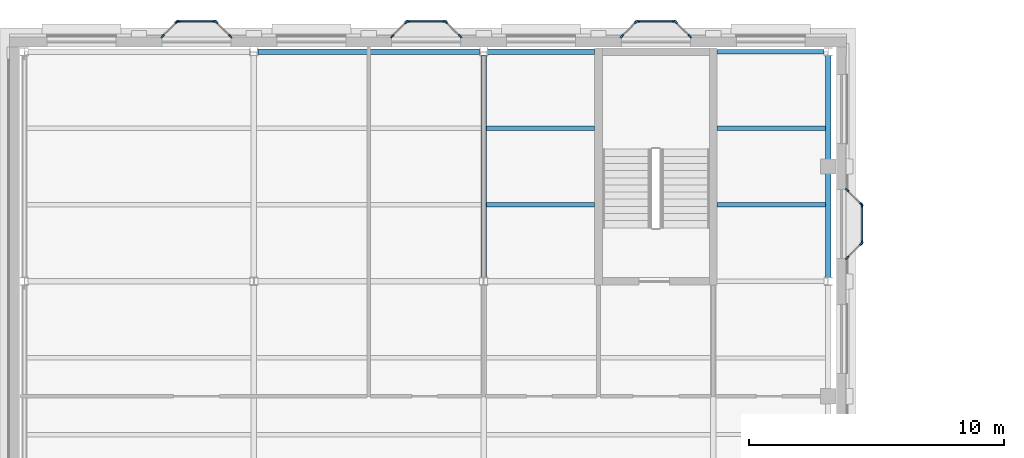
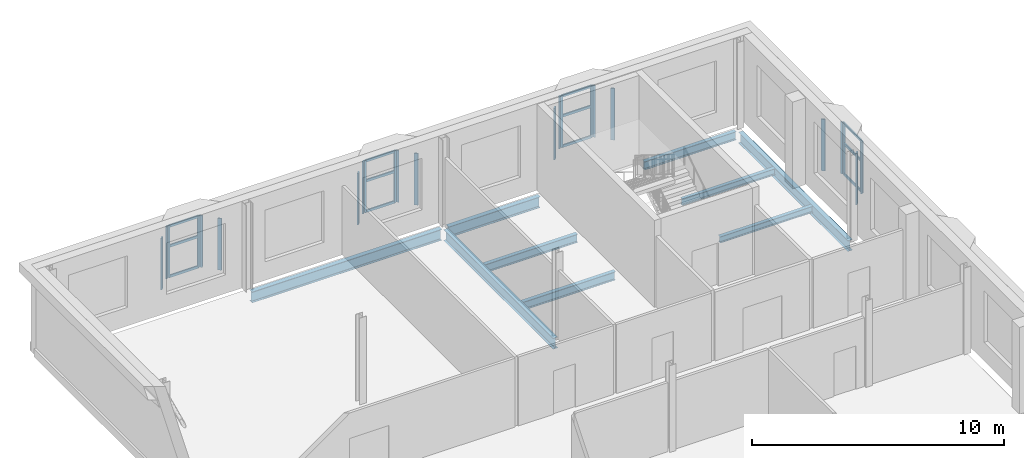
# One storey, part 22 of 62: 36 members, 9 beams, 12 elements without a shape of their own.
"""IFC4 building model written with IfcOpenShell, lengths in metres."""

from ifc_helpers import new_model, si_unit, direction, frame, origin, origin_2d, place, context, subcontext, project, spatial, rectangle, i_section, extrude, material, layer, layer_set, material_profile, profile_set, type_object, element, aggregate, save


model = new_model("IFC4")

# Units and contexts
model_context = context("Model", 3, precision=1e-05, world=origin(), true_north=direction((0.0, 1.0)))
body_context = subcontext(model_context, "Body", "Model", "MODEL_VIEW")
ifc_project = project(units=[si_unit("LENGTHUNIT", "METRE"), si_unit("AREAUNIT", "SQUARE_METRE"), si_unit("VOLUMEUNIT", "CUBIC_METRE"), si_unit("PLANEANGLEUNIT", "RADIAN"), si_unit("MASSUNIT", "GRAM", prefix="KILO")], contexts=[model_context])

# Site, building, storey
site_placement = place(None, origin())
site = spatial("IfcSite", under=ifc_project, at=site_placement, CompositionType="ELEMENT")
building_placement = place(site_placement, origin())
building = spatial("IfcBuilding", under=site, at=building_placement, Name="Hortulan Conservatory and Botanical Research Centre", CompositionType="ELEMENT")
storey_placement = place(building_placement, frame((0.0, 0.0, 15.0)))
storey = spatial("IfcBuildingStorey", under=building, at=storey_placement, Name="L03", CompositionType="ELEMENT", Elevation=15.0)

# Curtain wall, members
ifc_material_1 = material(Name="Bronze-finished aluminium", Category="aluminium")
ifc_layer = layer(ifc_material_1, 0.10009765625)
ifc_layer_set = layer_set([ifc_layer], Name="Oriel Curtain Wall 1350 module")
curtain_wall_type = type_object("IfcCurtainWallType", Name="Oriel Curtain Wall 1350 module", PredefinedType="NOTDEFINED", material=ifc_layer_set)
curtain_wall_1_placement = place(storey_placement, origin())
curtain_wall_1 = element("IfcCurtainWall", 1, at=curtain_wall_1_placement, inside=storey, type_object=curtain_wall_type, Name="Oriel glazing", PredefinedType="NOTDEFINED")
ifc_material_profile_1 = material_profile(ifc_material_1, rectangle(XDim=0.06005859375, YDim=0.159912109375, at=origin_2d()), Name="Bronze Mullion 60x160")
ifc_profile_set_1 = profile_set([ifc_material_profile_1], Name="Bronze-finished aluminium")
member_type_1 = type_object("IfcMemberType", Name="Bronze Mullion 60x160", PredefinedType="MULLION", material=ifc_profile_set_1)
member_1_placement = place(storey_placement, frame((5.421142578125, 72.606689453125, 0.89990234375), z_axis=(0.0, 0.0, 1.0), x_axis=(-0.707106781187, 0.707106781187, 0.0)))
member_1 = element("IfcMember", 2, at=member_1_placement, type_object=member_type_1, Name="CW2 mullion 1", PredefinedType="MULLION", context=body_context, shape_type="SweptSolid", body=[
    extrude(rectangle(XDim=0.06005859375, YDim=0.159912109375, at=origin_2d()), origin(), (0.0, 0.0, 1.0), 2.5),
])
member_2_placement = place(storey_placement, frame((5.978759765625, 73.164306640625, 0.89990234375), z_axis=(0.0, 0.0, 1.0), x_axis=(-0.707106781187, 0.707106781187, 0.0)))
member_2 = element("IfcMember", 3, at=member_2_placement, type_object=member_type_1, Name="CW2 mullion 2", PredefinedType="MULLION", context=body_context, shape_type="SweptSolid", body=[
    extrude(rectangle(XDim=0.06005859375, YDim=0.159912109375, at=origin_2d()), origin(), (0.0, 0.0, 1.0), 2.5),
])
aggregate(curtain_wall_1, [member_1, member_2])

curtain_wall_2_placement = place(storey_placement, origin())
curtain_wall_2 = element("IfcCurtainWall", 4, at=curtain_wall_2_placement, inside=storey, type_object=curtain_wall_type, Name="Oriel glazing", PredefinedType="NOTDEFINED")
member_3_placement = place(storey_placement, frame((6.030029296875, 73.185546875, 0.89990234375), z_axis=(0.0, 0.0, 1.0), x_axis=(0.0, 1.0, 0.0)))
member_3 = element("IfcMember", 5, at=member_3_placement, type_object=member_type_1, Name="CW2 mullion 1", PredefinedType="MULLION", context=body_context, shape_type="SweptSolid", body=[
    extrude(rectangle(XDim=0.06005859375, YDim=0.159912109375, at=origin_2d()), origin(), (0.0, 0.0, 1.0), 2.5),
])
member_4_placement = place(storey_placement, frame((7.469970703125, 73.185546875, 0.89990234375), z_axis=(0.0, 0.0, 1.0), x_axis=(0.0, 1.0, 0.0)))
member_4 = element("IfcMember", 6, at=member_4_placement, type_object=member_type_1, Name="CW2 mullion 2", PredefinedType="MULLION", context=body_context, shape_type="SweptSolid", body=[
    extrude(rectangle(XDim=0.06005859375, YDim=0.159912109375, at=origin_2d()), origin(), (0.0, 0.0, 1.0), 2.5),
])

curtain_wall_3_placement = place(storey_placement, origin())
curtain_wall_3 = element("IfcCurtainWall", 7, at=curtain_wall_3_placement, inside=storey, type_object=curtain_wall_type, Name="Oriel glazing", PredefinedType="NOTDEFINED")
member_5_placement = place(storey_placement, frame((7.521240234375, 73.164306640625, 0.89990234375), z_axis=(0.0, 0.0, 1.0), x_axis=(0.707106781187, 0.707106781187, 0.0)))
member_5 = element("IfcMember", 8, at=member_5_placement, type_object=member_type_1, Name="CW2 mullion 1", PredefinedType="MULLION", context=body_context, shape_type="SweptSolid", body=[
    extrude(rectangle(XDim=0.06005859375, YDim=0.159912109375, at=origin_2d()), origin(), (0.0, 0.0, 1.0), 2.5),
])
member_6_placement = place(storey_placement, frame((8.078857421875, 72.606689453125, 0.89990234375), z_axis=(0.0, 0.0, 1.0), x_axis=(0.707106781187, 0.707106781187, 0.0)))
member_6 = element("IfcMember", 9, at=member_6_placement, type_object=member_type_1, Name="CW2 mullion 2", PredefinedType="MULLION", context=body_context, shape_type="SweptSolid", body=[
    extrude(rectangle(XDim=0.06005859375, YDim=0.159912109375, at=origin_2d()), origin(), (0.0, 0.0, 1.0), 2.5),
])
aggregate(curtain_wall_3, [member_5, member_6])

curtain_wall_4_placement = place(storey_placement, origin())
curtain_wall_4 = element("IfcCurtainWall", 10, at=curtain_wall_4_placement, inside=storey, type_object=curtain_wall_type, Name="Oriel glazing", PredefinedType="NOTDEFINED")
member_7_placement = place(storey_placement, frame((14.421142578125, 72.606689453125, 0.89990234375), z_axis=(0.0, 0.0, 1.0), x_axis=(-0.707106781187, 0.707106781187, 0.0)))
member_7 = element("IfcMember", 11, at=member_7_placement, type_object=member_type_1, Name="CW2 mullion 1", PredefinedType="MULLION", context=body_context, shape_type="SweptSolid", body=[
    extrude(rectangle(XDim=0.06005859375, YDim=0.159912109375, at=origin_2d()), origin(), (0.0, 0.0, 1.0), 2.5),
])
member_8_placement = place(storey_placement, frame((14.978759765625, 73.164306640625, 0.89990234375), z_axis=(0.0, 0.0, 1.0), x_axis=(-0.707106781187, 0.707106781187, 0.0)))
member_8 = element("IfcMember", 12, at=member_8_placement, type_object=member_type_1, Name="CW2 mullion 2", PredefinedType="MULLION", context=body_context, shape_type="SweptSolid", body=[
    extrude(rectangle(XDim=0.06005859375, YDim=0.159912109375, at=origin_2d()), origin(), (0.0, 0.0, 1.0), 2.5),
])
aggregate(curtain_wall_4, [member_7, member_8])

curtain_wall_5_placement = place(storey_placement, origin())
curtain_wall_5 = element("IfcCurtainWall", 13, at=curtain_wall_5_placement, inside=storey, type_object=curtain_wall_type, Name="Oriel glazing", PredefinedType="NOTDEFINED")
member_9_placement = place(storey_placement, frame((15.030029296875, 73.185546875, 0.89990234375), z_axis=(0.0, 0.0, 1.0), x_axis=(0.0, 1.0, 0.0)))
member_9 = element("IfcMember", 14, at=member_9_placement, type_object=member_type_1, Name="CW2 mullion 1", PredefinedType="MULLION", context=body_context, shape_type="SweptSolid", body=[
    extrude(rectangle(XDim=0.06005859375, YDim=0.159912109375, at=origin_2d()), origin(), (0.0, 0.0, 1.0), 2.5),
])
member_10_placement = place(storey_placement, frame((16.469970703125, 73.185546875, 0.89990234375), z_axis=(0.0, 0.0, 1.0), x_axis=(0.0, 1.0, 0.0)))
member_10 = element("IfcMember", 15, at=member_10_placement, type_object=member_type_1, Name="CW2 mullion 2", PredefinedType="MULLION", context=body_context, shape_type="SweptSolid", body=[
    extrude(rectangle(XDim=0.06005859375, YDim=0.159912109375, at=origin_2d()), origin(), (0.0, 0.0, 1.0), 2.5),
])

curtain_wall_6_placement = place(storey_placement, origin())
curtain_wall_6 = element("IfcCurtainWall", 16, at=curtain_wall_6_placement, inside=storey, type_object=curtain_wall_type, Name="Oriel glazing", PredefinedType="NOTDEFINED")
member_11_placement = place(storey_placement, frame((16.521240234375, 73.164306640625, 0.89990234375), z_axis=(0.0, 0.0, 1.0), x_axis=(0.707106781187, 0.707106781187, 0.0)))
member_11 = element("IfcMember", 17, at=member_11_placement, type_object=member_type_1, Name="CW2 mullion 1", PredefinedType="MULLION", context=body_context, shape_type="SweptSolid", body=[
    extrude(rectangle(XDim=0.06005859375, YDim=0.159912109375, at=origin_2d()), origin(), (0.0, 0.0, 1.0), 2.5),
])
member_12_placement = place(storey_placement, frame((17.078857421875, 72.606689453125, 0.89990234375), z_axis=(0.0, 0.0, 1.0), x_axis=(0.707106781187, 0.707106781187, 0.0)))
member_12 = element("IfcMember", 18, at=member_12_placement, type_object=member_type_1, Name="CW2 mullion 2", PredefinedType="MULLION", context=body_context, shape_type="SweptSolid", body=[
    extrude(rectangle(XDim=0.06005859375, YDim=0.159912109375, at=origin_2d()), origin(), (0.0, 0.0, 1.0), 2.5),
])
aggregate(curtain_wall_6, [member_11, member_12])

curtain_wall_7_placement = place(storey_placement, origin())
curtain_wall_7 = element("IfcCurtainWall", 19, at=curtain_wall_7_placement, inside=storey, type_object=curtain_wall_type, Name="Oriel glazing", PredefinedType="NOTDEFINED")
member_13_placement = place(storey_placement, frame((23.421142578125, 72.606689453125, 0.89990234375), z_axis=(0.0, 0.0, 1.0), x_axis=(-0.707106781187, 0.707106781187, 0.0)))
member_13 = element("IfcMember", 20, at=member_13_placement, type_object=member_type_1, Name="CW2 mullion 1", PredefinedType="MULLION", context=body_context, shape_type="SweptSolid", body=[
    extrude(rectangle(XDim=0.06005859375, YDim=0.159912109375, at=origin_2d()), origin(), (0.0, 0.0, 1.0), 2.5),
])
member_14_placement = place(storey_placement, frame((23.978759765625, 73.164306640625, 0.89990234375), z_axis=(0.0, 0.0, 1.0), x_axis=(-0.707106781187, 0.707106781187, 0.0)))
member_14 = element("IfcMember", 21, at=member_14_placement, type_object=member_type_1, Name="CW2 mullion 2", PredefinedType="MULLION", context=body_context, shape_type="SweptSolid", body=[
    extrude(rectangle(XDim=0.06005859375, YDim=0.159912109375, at=origin_2d()), origin(), (0.0, 0.0, 1.0), 2.5),
])
aggregate(curtain_wall_7, [member_13, member_14])

curtain_wall_8_placement = place(storey_placement, origin())
curtain_wall_8 = element("IfcCurtainWall", 22, at=curtain_wall_8_placement, inside=storey, type_object=curtain_wall_type, Name="Oriel glazing", PredefinedType="NOTDEFINED")
member_15_placement = place(storey_placement, frame((24.030029296875, 73.185546875, 0.89990234375), z_axis=(0.0, 0.0, 1.0), x_axis=(0.0, 1.0, 0.0)))
member_15 = element("IfcMember", 23, at=member_15_placement, type_object=member_type_1, Name="CW2 mullion 1", PredefinedType="MULLION", context=body_context, shape_type="SweptSolid", body=[
    extrude(rectangle(XDim=0.06005859375, YDim=0.159912109375, at=origin_2d()), origin(), (0.0, 0.0, 1.0), 2.5),
])
member_16_placement = place(storey_placement, frame((25.469970703125, 73.185546875, 0.89990234375), z_axis=(0.0, 0.0, 1.0), x_axis=(0.0, 1.0, 0.0)))
member_16 = element("IfcMember", 24, at=member_16_placement, type_object=member_type_1, Name="CW2 mullion 2", PredefinedType="MULLION", context=body_context, shape_type="SweptSolid", body=[
    extrude(rectangle(XDim=0.06005859375, YDim=0.159912109375, at=origin_2d()), origin(), (0.0, 0.0, 1.0), 2.5),
])

curtain_wall_9_placement = place(storey_placement, origin())
curtain_wall_9 = element("IfcCurtainWall", 25, at=curtain_wall_9_placement, inside=storey, type_object=curtain_wall_type, Name="Oriel glazing", PredefinedType="NOTDEFINED")
member_17_placement = place(storey_placement, frame((25.521240234375, 73.164306640625, 0.89990234375), z_axis=(0.0, 0.0, 1.0), x_axis=(0.707106781187, 0.707106781187, 0.0)))
member_17 = element("IfcMember", 26, at=member_17_placement, type_object=member_type_1, Name="CW2 mullion 1", PredefinedType="MULLION", context=body_context, shape_type="SweptSolid", body=[
    extrude(rectangle(XDim=0.06005859375, YDim=0.159912109375, at=origin_2d()), origin(), (0.0, 0.0, 1.0), 2.5),
])
member_18_placement = place(storey_placement, frame((26.078857421875, 72.606689453125, 0.89990234375), z_axis=(0.0, 0.0, 1.0), x_axis=(0.707106781187, 0.707106781187, 0.0)))
member_18 = element("IfcMember", 27, at=member_18_placement, type_object=member_type_1, Name="CW2 mullion 2", PredefinedType="MULLION", context=body_context, shape_type="SweptSolid", body=[
    extrude(rectangle(XDim=0.06005859375, YDim=0.159912109375, at=origin_2d()), origin(), (0.0, 0.0, 1.0), 2.5),
])
aggregate(curtain_wall_9, [member_17, member_18])

curtain_wall_10_placement = place(storey_placement, origin())
curtain_wall_10 = element("IfcCurtainWall", 28, at=curtain_wall_10_placement, inside=storey, type_object=curtain_wall_type, Name="Oriel glazing", PredefinedType="NOTDEFINED")
member_19_placement = place(storey_placement, frame((32.24609375, 66.578857421875, 0.89990234375), z_axis=(0.0, 0.0, 1.0), x_axis=(0.707106781187, 0.707106781187, 0.0)))
member_19 = element("IfcMember", 29, at=member_19_placement, type_object=member_type_1, Name="CW2 mullion 1", PredefinedType="MULLION", context=body_context, shape_type="SweptSolid", body=[
    extrude(rectangle(XDim=0.06005859375, YDim=0.159912109375, at=origin_2d()), origin(), (0.0, 0.0, 1.0), 2.5),
])
member_20_placement = place(storey_placement, frame((32.8037109375, 66.021240234375, 0.89990234375), z_axis=(0.0, 0.0, 1.0), x_axis=(0.707106781187, 0.707106781187, 0.0)))
member_20 = element("IfcMember", 30, at=member_20_placement, type_object=member_type_1, Name="CW2 mullion 2", PredefinedType="MULLION", context=body_context, shape_type="SweptSolid", body=[
    extrude(rectangle(XDim=0.06005859375, YDim=0.159912109375, at=origin_2d()), origin(), (0.0, 0.0, 1.0), 2.5),
])
aggregate(curtain_wall_10, [member_19, member_20])

curtain_wall_11_placement = place(storey_placement, origin())
curtain_wall_11 = element("IfcCurtainWall", 31, at=curtain_wall_11_placement, inside=storey, type_object=curtain_wall_type, Name="Oriel glazing", PredefinedType="NOTDEFINED")
member_21_placement = place(storey_placement, frame((32.824951171875, 65.969970703125, 0.89990234375), z_axis=(0.0, 0.0, 1.0), x_axis=(1.0, 0.0, 0.0)))
member_21 = element("IfcMember", 32, at=member_21_placement, type_object=member_type_1, Name="CW2 mullion 1", PredefinedType="MULLION", context=body_context, shape_type="SweptSolid", body=[
    extrude(rectangle(XDim=0.06005859375, YDim=0.159912109375, at=origin_2d()), origin(), (0.0, 0.0, 1.0), 2.5),
])
member_22_placement = place(storey_placement, frame((32.824951171875, 64.530029296875, 0.89990234375), z_axis=(0.0, 0.0, 1.0), x_axis=(1.0, 0.0, 0.0)))
member_22 = element("IfcMember", 33, at=member_22_placement, type_object=member_type_1, Name="CW2 mullion 2", PredefinedType="MULLION", context=body_context, shape_type="SweptSolid", body=[
    extrude(rectangle(XDim=0.06005859375, YDim=0.159912109375, at=origin_2d()), origin(), (0.0, 0.0, 1.0), 2.5),
])

curtain_wall_12_placement = place(storey_placement, origin())
curtain_wall_12 = element("IfcCurtainWall", 34, at=curtain_wall_12_placement, inside=storey, type_object=curtain_wall_type, Name="Oriel glazing", PredefinedType="NOTDEFINED")
member_23_placement = place(storey_placement, frame((32.8037109375, 64.478759765625, 0.89990234375), z_axis=(0.0, 0.0, 1.0), x_axis=(0.707106781187, -0.707106781187, 0.0)))
member_23 = element("IfcMember", 35, at=member_23_placement, type_object=member_type_1, Name="CW2 mullion 1", PredefinedType="MULLION", context=body_context, shape_type="SweptSolid", body=[
    extrude(rectangle(XDim=0.06005859375, YDim=0.159912109375, at=origin_2d()), origin(), (0.0, 0.0, 1.0), 2.5),
])
member_24_placement = place(storey_placement, frame((32.24609375, 63.921142578125, 0.89990234375), z_axis=(0.0, 0.0, 1.0), x_axis=(0.707106781187, -0.707106781187, 0.0)))
member_24 = element("IfcMember", 36, at=member_24_placement, type_object=member_type_1, Name="CW2 mullion 2", PredefinedType="MULLION", context=body_context, shape_type="SweptSolid", body=[
    extrude(rectangle(XDim=0.06005859375, YDim=0.159912109375, at=origin_2d()), origin(), (0.0, 0.0, 1.0), 2.5),
])
aggregate(curtain_wall_12, [member_23, member_24])

# Member
ifc_material_profile_2 = material_profile(ifc_material_1, rectangle(XDim=0.06005859375, YDim=0.1201171875, at=origin_2d()), Name="Bronze Transom 60x120")
ifc_profile_set_2 = profile_set([ifc_material_profile_2], Name="Bronze-finished aluminium")
member_type_2 = type_object("IfcMemberType", Name="Bronze Transom 60x120", PredefinedType="USERDEFINED", material=ifc_profile_set_2)
member_25_placement = place(storey_placement, frame((6.06005859375, 73.185546875, 0.929931640625), z_axis=(1.0, 0.0, 0.0), x_axis=(0.0, 1.0, 0.0)))
member_25 = element("IfcMember", 37, at=member_25_placement, type_object=member_type_2, Name="CW2 transom 1.1", ObjectType="TRANSOM", PredefinedType="USERDEFINED", context=body_context, shape_type="SweptSolid", body=[
    extrude(rectangle(XDim=0.06005859375, YDim=0.1201171875, at=origin_2d()), origin(), (0.0, 0.0, 1.0), 1.3798828125),
])

member_26_placement = place(storey_placement, frame((6.06005859375, 73.185546875, 2.39990234375), z_axis=(1.0, 0.0, 0.0), x_axis=(0.0, 1.0, 0.0)))
member_26 = element("IfcMember", 38, at=member_26_placement, type_object=member_type_2, Name="CW2 transom 1.2", ObjectType="TRANSOM", PredefinedType="USERDEFINED", context=body_context, shape_type="SweptSolid", body=[
    extrude(rectangle(XDim=0.06005859375, YDim=0.1201171875, at=origin_2d()), origin(), (0.0, 0.0, 1.0), 1.3798828125),
])

member_27_placement = place(storey_placement, frame((6.06005859375, 73.185546875, 3.3701171875), z_axis=(1.0, 0.0, 0.0), x_axis=(0.0, 1.0, 0.0)))
member_27 = element("IfcMember", 39, at=member_27_placement, type_object=member_type_2, Name="CW2 transom 1.3", ObjectType="TRANSOM", PredefinedType="USERDEFINED", context=body_context, shape_type="SweptSolid", body=[
    extrude(rectangle(XDim=0.06005859375, YDim=0.1201171875, at=origin_2d()), origin(), (0.0, 0.0, 1.0), 1.3798828125),
])

aggregate(curtain_wall_2, [member_3, member_4, member_25, member_26, member_27])

member_28_placement = place(storey_placement, frame((15.06005859375, 73.185546875, 0.929931640625), z_axis=(1.0, 0.0, 0.0), x_axis=(0.0, 1.0, 0.0)))
member_28 = element("IfcMember", 40, at=member_28_placement, type_object=member_type_2, Name="CW2 transom 1.1", ObjectType="TRANSOM", PredefinedType="USERDEFINED", context=body_context, shape_type="SweptSolid", body=[
    extrude(rectangle(XDim=0.06005859375, YDim=0.1201171875, at=origin_2d()), origin(), (0.0, 0.0, 1.0), 1.3798828125),
])

member_29_placement = place(storey_placement, frame((15.06005859375, 73.185546875, 2.39990234375), z_axis=(1.0, 0.0, 0.0), x_axis=(0.0, 1.0, 0.0)))
member_29 = element("IfcMember", 41, at=member_29_placement, type_object=member_type_2, Name="CW2 transom 1.2", ObjectType="TRANSOM", PredefinedType="USERDEFINED", context=body_context, shape_type="SweptSolid", body=[
    extrude(rectangle(XDim=0.06005859375, YDim=0.1201171875, at=origin_2d()), origin(), (0.0, 0.0, 1.0), 1.3798828125),
])

member_30_placement = place(storey_placement, frame((15.06005859375, 73.185546875, 3.3701171875), z_axis=(1.0, 0.0, 0.0), x_axis=(0.0, 1.0, 0.0)))
member_30 = element("IfcMember", 42, at=member_30_placement, type_object=member_type_2, Name="CW2 transom 1.3", ObjectType="TRANSOM", PredefinedType="USERDEFINED", context=body_context, shape_type="SweptSolid", body=[
    extrude(rectangle(XDim=0.06005859375, YDim=0.1201171875, at=origin_2d()), origin(), (0.0, 0.0, 1.0), 1.3798828125),
])

aggregate(curtain_wall_5, [member_9, member_10, member_28, member_29, member_30])

member_31_placement = place(storey_placement, frame((24.06005859375, 73.185546875, 0.929931640625), z_axis=(1.0, 0.0, 0.0), x_axis=(0.0, 1.0, 0.0)))
member_31 = element("IfcMember", 43, at=member_31_placement, type_object=member_type_2, Name="CW2 transom 1.1", ObjectType="TRANSOM", PredefinedType="USERDEFINED", context=body_context, shape_type="SweptSolid", body=[
    extrude(rectangle(XDim=0.06005859375, YDim=0.1201171875, at=origin_2d()), origin(), (0.0, 0.0, 1.0), 1.3798828125),
])

member_32_placement = place(storey_placement, frame((24.06005859375, 73.185546875, 2.39990234375), z_axis=(1.0, 0.0, 0.0), x_axis=(0.0, 1.0, 0.0)))
member_32 = element("IfcMember", 44, at=member_32_placement, type_object=member_type_2, Name="CW2 transom 1.2", ObjectType="TRANSOM", PredefinedType="USERDEFINED", context=body_context, shape_type="SweptSolid", body=[
    extrude(rectangle(XDim=0.06005859375, YDim=0.1201171875, at=origin_2d()), origin(), (0.0, 0.0, 1.0), 1.3798828125),
])

member_33_placement = place(storey_placement, frame((24.06005859375, 73.185546875, 3.3701171875), z_axis=(1.0, 0.0, 0.0), x_axis=(0.0, 1.0, 0.0)))
member_33 = element("IfcMember", 45, at=member_33_placement, type_object=member_type_2, Name="CW2 transom 1.3", ObjectType="TRANSOM", PredefinedType="USERDEFINED", context=body_context, shape_type="SweptSolid", body=[
    extrude(rectangle(XDim=0.06005859375, YDim=0.1201171875, at=origin_2d()), origin(), (0.0, 0.0, 1.0), 1.3798828125),
])

aggregate(curtain_wall_8, [member_15, member_16, member_31, member_32, member_33])

member_34_placement = place(storey_placement, frame((32.824951171875, 65.93994140625, 0.929931640625), z_axis=(0.0, -1.0, 0.0), x_axis=(1.0, 0.0, 0.0)))
member_34 = element("IfcMember", 46, at=member_34_placement, type_object=member_type_2, Name="CW2 transom 1.1", ObjectType="TRANSOM", PredefinedType="USERDEFINED", context=body_context, shape_type="SweptSolid", body=[
    extrude(rectangle(XDim=0.06005859375, YDim=0.1201171875, at=origin_2d()), origin(), (0.0, 0.0, 1.0), 1.3798828125),
])

member_35_placement = place(storey_placement, frame((32.824951171875, 65.93994140625, 2.39990234375), z_axis=(0.0, -1.0, 0.0), x_axis=(1.0, 0.0, 0.0)))
member_35 = element("IfcMember", 47, at=member_35_placement, type_object=member_type_2, Name="CW2 transom 1.2", ObjectType="TRANSOM", PredefinedType="USERDEFINED", context=body_context, shape_type="SweptSolid", body=[
    extrude(rectangle(XDim=0.06005859375, YDim=0.1201171875, at=origin_2d()), origin(), (0.0, 0.0, 1.0), 1.3798828125),
])

member_36_placement = place(storey_placement, frame((32.824951171875, 65.93994140625, 3.3701171875), z_axis=(0.0, -1.0, 0.0), x_axis=(1.0, 0.0, 0.0)))
member_36 = element("IfcMember", 48, at=member_36_placement, type_object=member_type_2, Name="CW2 transom 1.3", ObjectType="TRANSOM", PredefinedType="USERDEFINED", context=body_context, shape_type="SweptSolid", body=[
    extrude(rectangle(XDim=0.06005859375, YDim=0.1201171875, at=origin_2d()), origin(), (0.0, 0.0, 1.0), 1.3798828125),
])

aggregate(curtain_wall_11, [member_21, member_22, member_34, member_35, member_36])

# Beams
ifc_material_2 = material(Name="Steel Grade 300PLUS (AS/NZS 3679.1, 280 MPa minimum yield)", Category="steel")
ifc_material_profile_3 = material_profile(ifc_material_2, i_section(OverallWidth=0.177978515625, OverallDepth=0.403076171875, WebThickness=0.007568359375, FlangeThickness=0.010986328125, FilletRadius=0.011474609375, at=origin_2d()), Name="410UB53.7")
ifc_profile_set_3 = profile_set([ifc_material_profile_3], Name="Steel Grade 300PLUS (AS/NZS 3679.1, 280 MPa minimum yield)")
beam_type_1 = type_object("IfcBeamType", Name="Primary Beam 410UB53.7", PredefinedType="BEAM", material=ifc_profile_set_3)
beam_1_placement = place(storey_placement, frame((27.14990234375, 72.0, -0.33154296875), z_axis=(1.0, 0.0, 0.0), x_axis=(0.0, 1.0, 0.0)))
element("IfcBeam", 49, at=beam_1_placement, inside=storey, type_object=beam_type_1, Name="410UB53.7 girder", PredefinedType="BEAM", context=body_context, shape_type="SweptSolid", body=[
    extrude(i_section(OverallWidth=0.177978515625, OverallDepth=0.403076171875, WebThickness=0.007568359375, FlangeThickness=0.010986328125, FilletRadius=0.011474609375, at=origin_2d()), origin(), (0.0, 0.0, 1.0), 4.196533203125),
])
ifc_material_profile_4 = material_profile(ifc_material_2, i_section(OverallWidth=0.208984375, OverallDepth=0.528076171875, WebThickness=0.009521484375, FlangeThickness=0.01318359375, FilletRadius=0.013916015625, at=origin_2d()), Name="530UB82.0")
ifc_profile_set_4 = profile_set([ifc_material_profile_4], Name="Steel Grade 300PLUS (AS/NZS 3679.1, 280 MPa minimum yield)")
beam_type_2 = type_object("IfcBeamType", Name="Primary Beam 530UB82.0", PredefinedType="BEAM", material=ifc_profile_set_4)
beam_2_placement = place(storey_placement, frame((9.157470703125, 72.0, -0.39404296875), z_axis=(1.0, 0.0, 0.0), x_axis=(0.0, 1.0, 0.0)))
element("IfcBeam", 50, at=beam_2_placement, inside=storey, type_object=beam_type_2, Name="530UB82.0 girder", PredefinedType="BEAM", context=body_context, shape_type="SweptSolid", body=[
    extrude(i_section(OverallWidth=0.208984375, OverallDepth=0.528076171875, WebThickness=0.009521484375, FlangeThickness=0.01318359375, FilletRadius=0.013916015625, at=origin_2d()), origin(), (0.0, 0.0, 1.0), 8.68505859375),
])
beam_3_placement = place(storey_placement, frame((18.157470703125, 72.0, -0.39404296875), z_axis=(1.0, 0.0, 0.0), x_axis=(0.0, 1.0, 0.0)))
element("IfcBeam", 51, at=beam_3_placement, inside=storey, type_object=beam_type_2, Name="530UB82.0 girder", PredefinedType="BEAM", context=body_context, shape_type="SweptSolid", body=[
    extrude(i_section(OverallWidth=0.208984375, OverallDepth=0.528076171875, WebThickness=0.009521484375, FlangeThickness=0.01318359375, FilletRadius=0.013916015625, at=origin_2d()), origin(), (0.0, 0.0, 1.0), 4.192626953125),
])
beam_4_placement = place(storey_placement, frame((31.5, 63.157470703125, -0.39404296875), z_axis=(0.0, 1.0, 0.0), x_axis=(-1.0, 0.0, 0.0)))
element("IfcBeam", 52, at=beam_4_placement, inside=storey, type_object=beam_type_2, Name="530UB82.0 girder", PredefinedType="BEAM", context=body_context, shape_type="SweptSolid", body=[
    extrude(i_section(OverallWidth=0.208984375, OverallDepth=0.528076171875, WebThickness=0.009521484375, FlangeThickness=0.01318359375, FilletRadius=0.013916015625, at=origin_2d()), origin(), (0.0, 0.0, 1.0), 8.68505859375),
])
ifc_material_profile_5 = material_profile(ifc_material_2, i_section(OverallWidth=0.208984375, OverallDepth=0.532958984375, WebThickness=0.01025390625, FlangeThickness=0.015625, FilletRadius=0.013916015625, at=origin_2d()), Name="530UB92.4")
ifc_profile_set_5 = profile_set([ifc_material_profile_5], Name="Steel Grade 300PLUS (AS/NZS 3679.1, 280 MPa minimum yield)")
beam_type_3 = type_object("IfcBeamType", Name="Primary Beam 530UB92.4", PredefinedType="BEAM", material=ifc_profile_set_5)
beam_5_placement = place(storey_placement, frame((18.0, 63.157470703125, -0.396484375), z_axis=(0.0, 1.0, 0.0), x_axis=(-1.0, 0.0, 0.0)))
element("IfcBeam", 53, at=beam_5_placement, inside=storey, type_object=beam_type_3, Name="530UB92.4 girder", PredefinedType="BEAM", context=body_context, shape_type="SweptSolid", body=[
    extrude(i_section(OverallWidth=0.208984375, OverallDepth=0.532958984375, WebThickness=0.01025390625, FlangeThickness=0.015625, FilletRadius=0.013916015625, at=origin_2d()), origin(), (0.0, 0.0, 1.0), 8.68896484375),
])
ifc_material_profile_6 = material_profile(ifc_material_2, i_section(OverallWidth=0.1650390625, OverallDepth=0.303955078125, WebThickness=0.006103515625, FlangeThickness=0.01025390625, FilletRadius=0.011474609375, at=origin_2d()), Name="310UB40.4")
ifc_profile_set_6 = profile_set([ifc_material_profile_6], Name="Steel Grade 300PLUS (AS/NZS 3679.1, 280 MPa minimum yield)")
beam_type_4 = type_object("IfcBeamType", Name="Secondary Beam 310UB40.4", PredefinedType="JOIST", material=ifc_profile_set_6)
for number, where, z_axis, x_axis, name in (
    (54, (27.14990234375, 66.0, -0.281982421875), (1.0, 0.0, 0.0), (0.0, 1.0, 0.0), "310UB40.4 secondary beam"),
    (55, (27.14990234375, 69.0, -0.281982421875), (1.0, 0.0, 0.0), (0.0, 1.0, 0.0), "310UB40.4 secondary beam"),
):
    element("IfcBeam", number, at=place(storey_placement, frame(where, z_axis=z_axis, x_axis=x_axis)), inside=storey, type_object=beam_type_4, Name=name, PredefinedType="JOIST", context=body_context, shape_type="SweptSolid", body=[
        extrude(i_section(OverallWidth=0.1650390625, OverallDepth=0.303955078125, WebThickness=0.006103515625, FlangeThickness=0.01025390625, FilletRadius=0.011474609375, at=origin_2d()), origin(), (0.0, 0.0, 1.0), 4.24560546875),
    ])
ifc_material_profile_7 = material_profile(ifc_material_2, i_section(OverallWidth=0.177978515625, OverallDepth=0.406005859375, WebThickness=0.0078125, FlangeThickness=0.0126953125, FilletRadius=0.011474609375, at=origin_2d()), Name="410UB59.7")
ifc_profile_set_7 = profile_set([ifc_material_profile_7], Name="Steel Grade 300PLUS (AS/NZS 3679.1, 280 MPa minimum yield)")
beam_type_5 = type_object("IfcBeamType", Name="Secondary Beam 410UB59.7", PredefinedType="JOIST", material=ifc_profile_set_7)
for number, where, z_axis, x_axis, name in (
    (56, (18.1044921875, 66.0, -0.3330078125), (1.0, 0.0, 0.0), (0.0, 1.0, 0.0), "410UB59.7 secondary beam"),
    (57, (18.1044921875, 69.0, -0.3330078125), (1.0, 0.0, 0.0), (0.0, 1.0, 0.0), "410UB59.7 secondary beam"),
):
    element("IfcBeam", number, at=place(storey_placement, frame(where, z_axis=z_axis, x_axis=x_axis)), inside=storey, type_object=beam_type_5, Name=name, PredefinedType="JOIST", context=body_context, shape_type="SweptSolid", body=[
        extrude(i_section(OverallWidth=0.177978515625, OverallDepth=0.406005859375, WebThickness=0.0078125, FlangeThickness=0.0126953125, FilletRadius=0.011474609375, at=origin_2d()), origin(), (0.0, 0.0, 1.0), 4.24560546875),
    ])

save(model, "model.ifc")
